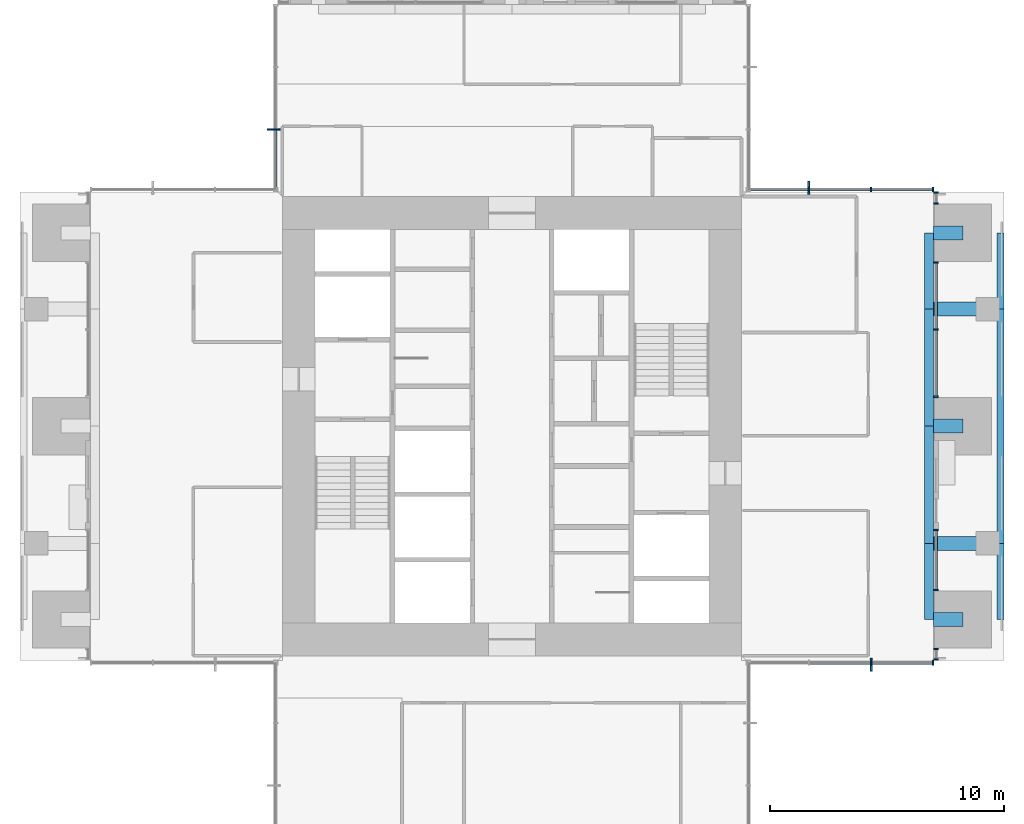
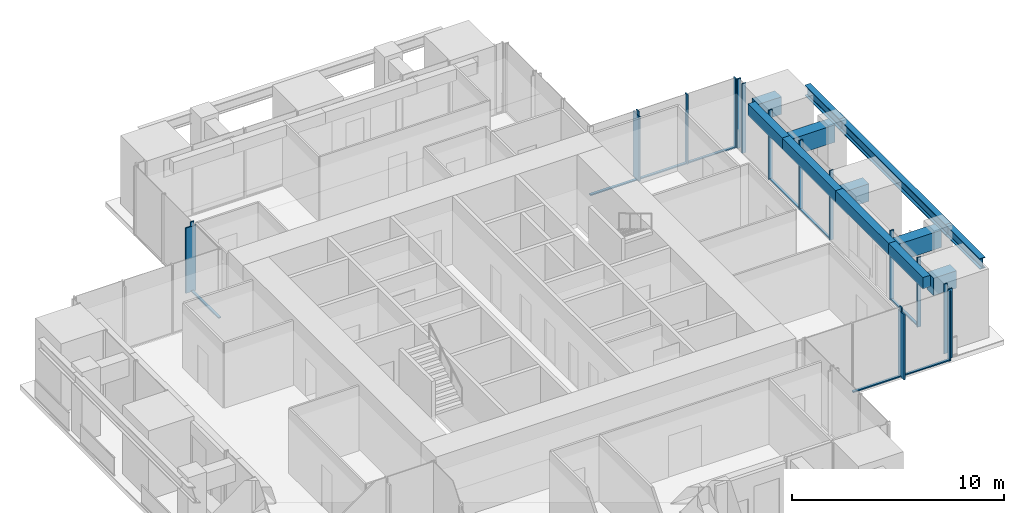
# One storey, part 4 of 17: 27 members, 12 beams, 7 elements without a shape of their own.
"""IFC4 building model written with IfcOpenShell, lengths in metres."""

from ifc_helpers import new_model, si_unit, direction, frame, origin, origin_2d, place, context, subcontext, project, spatial, rectangle, i_section, extrude, material, material_profile, profile_set, type_object, element, aggregate, save


model = new_model("IFC4")

# Units and contexts
model_context = context("Model", 3, precision=1e-05, world=origin(), true_north=direction((0.0, 1.0)))
body_context = subcontext(model_context, "Body", "Model", "MODEL_VIEW")
ifc_project = project(units=[si_unit("LENGTHUNIT", "METRE"), si_unit("AREAUNIT", "SQUARE_METRE"), si_unit("VOLUMEUNIT", "CUBIC_METRE"), si_unit("PLANEANGLEUNIT", "RADIAN"), si_unit("MASSUNIT", "GRAM", prefix="KILO")], contexts=[model_context])

# Site, building, storey
site_placement = place(None, origin())
site = spatial("IfcSite", under=ifc_project, at=site_placement, CompositionType="ELEMENT")
building_placement = place(site_placement, origin())
building = spatial("IfcBuilding", under=site, at=building_placement, Name="Svetlomir Tower", CompositionType="ELEMENT")
storey_placement = place(building_placement, frame((0.0, 0.0, 170.5)))
storey = spatial("IfcBuildingStorey", under=building, at=storey_placement, Name="L40", CompositionType="ELEMENT", Elevation=170.5)

# Curtain wall, member
ifc_material_1 = material(Name="Bronze anodised aluminium curtain wall", Category="aluminium")
curtain_wall_type = type_object("IfcCurtainWallType", Name="CURTAIN WALL CW1 TOWER OFFICE", PredefinedType="NOTDEFINED", material=ifc_material_1)
curtain_wall_1_placement = place(storey_placement, origin())
curtain_wall_1 = element("IfcCurtainWall", 1, at=curtain_wall_1_placement, inside=storey, type_object=curtain_wall_type, Name="Curtain wall CW1 L40", PredefinedType="NOTDEFINED")
ifc_material_2 = material(Name="Bronze anodised aluminium", Category="aluminium")
ifc_material_profile_1 = material_profile(ifc_material_2, rectangle(XDim=0.080078125, YDim=0.550048828125, at=origin_2d()), Name="FIN 80x550")
ifc_profile_set_1 = profile_set([ifc_material_profile_1], Name="Bronze anodised aluminium 6063-T6")
member_type_1 = type_object("IfcMemberType", Name="BRONZE FIN 80x550", PredefinedType="USERDEFINED", material=ifc_profile_set_1)
member_1_placement = place(storey_placement, frame((36.333251953125, 10.824951171875, 0.0), z_axis=(0.0, 0.0, 1.0), x_axis=(1.0, 0.0, 0.0)))
member_1 = element("IfcMember", 2, at=member_1_placement, type_object=member_type_1, Name="Bronze fin L40", ObjectType="FIN", PredefinedType="USERDEFINED", context=body_context, shape_type="SweptSolid", body=[
    extrude(rectangle(XDim=0.080078125, YDim=0.550048828125, at=origin_2d()), origin(), (0.0, 0.0, 1.0), 3.75),
])

curtain_wall_2_placement = place(storey_placement, origin())
curtain_wall_2 = element("IfcCurtainWall", 3, at=curtain_wall_2_placement, inside=storey, type_object=curtain_wall_type, Name="Curtain wall CW1 L40", PredefinedType="NOTDEFINED")
member_2_placement = place(storey_placement, frame((33.666748046875, 31.175048828125, 0.0), z_axis=(0.0, 0.0, 1.0), x_axis=(1.0, 0.0, 0.0)))
member_2 = element("IfcMember", 4, at=member_2_placement, type_object=member_type_1, Name="Bronze fin L40", ObjectType="FIN", PredefinedType="USERDEFINED", context=body_context, shape_type="SweptSolid", body=[
    extrude(rectangle(XDim=0.080078125, YDim=0.550048828125, at=origin_2d()), origin(), (0.0, 0.0, 1.0), 3.75),
])

curtain_wall_3_placement = place(storey_placement, origin())
curtain_wall_3 = element("IfcCurtainWall", 5, at=curtain_wall_3_placement, inside=storey, type_object=curtain_wall_type, Name="Curtain wall CW1 L40", PredefinedType="NOTDEFINED")
member_3_placement = place(storey_placement, frame((10.824951171875, 33.666748046875, 0.0), z_axis=(0.0, 0.0, 1.0), x_axis=(0.0, 1.0, 0.0)))
member_3 = element("IfcMember", 6, at=member_3_placement, type_object=member_type_1, Name="Bronze fin L40", ObjectType="FIN", PredefinedType="USERDEFINED", context=body_context, shape_type="SweptSolid", body=[
    extrude(rectangle(XDim=0.080078125, YDim=0.550048828125, at=origin_2d()), origin(), (0.0, 0.0, 1.0), 3.75),
])

# Member
ifc_material_3 = material(Name="Bronze anodised aluminium", Category="aluminium")
ifc_material_profile_2 = material_profile(ifc_material_3, rectangle(XDim=0.06494140625, YDim=0.199951171875, at=origin_2d()), Name="AL 65x200")
ifc_profile_set_2 = profile_set([ifc_material_profile_2], Name="Bronze anodised aluminium 6063-T6")
member_type_2 = type_object("IfcMemberType", Name="CW1 MULLION 65x200", PredefinedType="MULLION", material=ifc_profile_set_2)
member_4_placement = place(storey_placement, frame((36.333251953125, 10.89990234375, 0.0), z_axis=(0.0, 0.0, 1.0), x_axis=(1.0, 0.0, 0.0)))
member_4 = element("IfcMember", 7, at=member_4_placement, type_object=member_type_2, Name="CW1 mullion 3", PredefinedType="MULLION", context=body_context, shape_type="SweptSolid", body=[
    extrude(rectangle(XDim=0.06494140625, YDim=0.199951171875, at=origin_2d()), origin(), (0.0, 0.0, 1.0), 4.0),
])

member_5_placement = place(storey_placement, frame((38.967529296875, 10.89990234375, 0.0), z_axis=(0.0, 0.0, 1.0), x_axis=(1.0, 0.0, 0.0)))
member_5 = element("IfcMember", 8, at=member_5_placement, type_object=member_type_2, Name="CW1 mullion 4", PredefinedType="MULLION", context=body_context, shape_type="SweptSolid", body=[
    extrude(rectangle(XDim=0.06494140625, YDim=0.199951171875, at=origin_2d()), origin(), (0.0, 0.0, 1.0), 4.0),
])

# Curtain wall, members
curtain_wall_4_placement = place(storey_placement, origin())
curtain_wall_4 = element("IfcCurtainWall", 9, at=curtain_wall_4_placement, inside=storey, type_object=curtain_wall_type, Name="Curtain wall CW1 L40", PredefinedType="NOTDEFINED")
member_6_placement = place(storey_placement, frame((39.10009765625, 11.032470703125, 0.0), z_axis=(0.0, 0.0, 1.0), x_axis=(0.0, 1.0, 0.0)))
member_6 = element("IfcMember", 10, at=member_6_placement, type_object=member_type_2, Name="CW1 mullion 1", PredefinedType="MULLION", context=body_context, shape_type="SweptSolid", body=[
    extrude(rectangle(XDim=0.06494140625, YDim=0.199951171875, at=origin_2d()), origin(), (0.0, 0.0, 1.0), 4.0),
])
member_7_placement = place(storey_placement, frame((39.10009765625, 11.492431640625, 0.0), z_axis=(0.0, 0.0, 1.0), x_axis=(0.0, 1.0, 0.0)))
member_7 = element("IfcMember", 11, at=member_7_placement, type_object=member_type_2, Name="CW1 mullion 2", PredefinedType="MULLION", context=body_context, shape_type="SweptSolid", body=[
    extrude(rectangle(XDim=0.06494140625, YDim=0.199951171875, at=origin_2d()), origin(), (0.0, 0.0, 1.0), 4.0),
])
aggregate(curtain_wall_4, [member_6, member_7])

curtain_wall_5_placement = place(storey_placement, origin())
curtain_wall_5 = element("IfcCurtainWall", 12, at=curtain_wall_5_placement, inside=storey, type_object=curtain_wall_type, Name="Curtain wall CW1 L40", PredefinedType="NOTDEFINED")
member_8_placement = place(storey_placement, frame((39.10009765625, 14.007568359375, 0.0), z_axis=(0.0, 0.0, 1.0), x_axis=(0.0, 1.0, 0.0)))
member_8 = element("IfcMember", 13, at=member_8_placement, type_object=member_type_2, Name="CW1 mullion 1", PredefinedType="MULLION", context=body_context, shape_type="SweptSolid", body=[
    extrude(rectangle(XDim=0.06494140625, YDim=0.199951171875, at=origin_2d()), origin(), (0.0, 0.0, 1.0), 4.0),
])
member_9_placement = place(storey_placement, frame((39.10009765625, 16.5673828125, 0.0), z_axis=(0.0, 0.0, 1.0), x_axis=(0.0, 1.0, 0.0)))
member_9 = element("IfcMember", 14, at=member_9_placement, type_object=member_type_2, Name="CW1 mullion 2", PredefinedType="MULLION", context=body_context, shape_type="SweptSolid", body=[
    extrude(rectangle(XDim=0.06494140625, YDim=0.199951171875, at=origin_2d()), origin(), (0.0, 0.0, 1.0), 4.0),
])

curtain_wall_6_placement = place(storey_placement, origin())
curtain_wall_6 = element("IfcCurtainWall", 15, at=curtain_wall_6_placement, inside=storey, type_object=curtain_wall_type, Name="Curtain wall CW1 L40", PredefinedType="NOTDEFINED")
member_10_placement = place(storey_placement, frame((39.10009765625, 22.257568359375, 0.0), z_axis=(0.0, 0.0, 1.0), x_axis=(0.0, 1.0, 0.0)))
member_10 = element("IfcMember", 16, at=member_10_placement, type_object=member_type_2, Name="CW1 mullion 1", PredefinedType="MULLION", context=body_context, shape_type="SweptSolid", body=[
    extrude(rectangle(XDim=0.06494140625, YDim=0.199951171875, at=origin_2d()), origin(), (0.0, 0.0, 1.0), 4.0),
])
member_11_placement = place(storey_placement, frame((39.10009765625, 25.125, 0.0), z_axis=(0.0, 0.0, 1.0), x_axis=(0.0, 1.0, 0.0)))
member_11 = element("IfcMember", 17, at=member_11_placement, type_object=member_type_2, Name="CW1 mullion 2", PredefinedType="MULLION", context=body_context, shape_type="SweptSolid", body=[
    extrude(rectangle(XDim=0.06494140625, YDim=0.199951171875, at=origin_2d()), origin(), (0.0, 0.0, 1.0), 4.0),
])
member_12_placement = place(storey_placement, frame((39.10009765625, 27.992431640625, 0.0), z_axis=(0.0, 0.0, 1.0), x_axis=(0.0, 1.0, 0.0)))
member_12 = element("IfcMember", 18, at=member_12_placement, type_object=member_type_2, Name="CW1 mullion 3", PredefinedType="MULLION", context=body_context, shape_type="SweptSolid", body=[
    extrude(rectangle(XDim=0.06494140625, YDim=0.199951171875, at=origin_2d()), origin(), (0.0, 0.0, 1.0), 4.0),
])

curtain_wall_7_placement = place(storey_placement, origin())
curtain_wall_7 = element("IfcCurtainWall", 19, at=curtain_wall_7_placement, inside=storey, type_object=curtain_wall_type, Name="Curtain wall CW1 L40", PredefinedType="NOTDEFINED")
member_13_placement = place(storey_placement, frame((39.10009765625, 30.507568359375, 0.0), z_axis=(0.0, 0.0, 1.0), x_axis=(0.0, 1.0, 0.0)))
member_13 = element("IfcMember", 20, at=member_13_placement, type_object=member_type_2, Name="CW1 mullion 1", PredefinedType="MULLION", context=body_context, shape_type="SweptSolid", body=[
    extrude(rectangle(XDim=0.06494140625, YDim=0.199951171875, at=origin_2d()), origin(), (0.0, 0.0, 1.0), 4.0),
])
member_14_placement = place(storey_placement, frame((39.10009765625, 30.967529296875, 0.0), z_axis=(0.0, 0.0, 1.0), x_axis=(0.0, 1.0, 0.0)))
member_14 = element("IfcMember", 21, at=member_14_placement, type_object=member_type_2, Name="CW1 mullion 2", PredefinedType="MULLION", context=body_context, shape_type="SweptSolid", body=[
    extrude(rectangle(XDim=0.06494140625, YDim=0.199951171875, at=origin_2d()), origin(), (0.0, 0.0, 1.0), 4.0),
])
aggregate(curtain_wall_7, [member_13, member_14])

# Member
member_15_placement = place(storey_placement, frame((38.967529296875, 31.10009765625, 0.0), z_axis=(0.0, 0.0, 1.0), x_axis=(-1.0, 0.0, 0.0)))
member_15 = element("IfcMember", 22, at=member_15_placement, type_object=member_type_2, Name="CW1 mullion 1", PredefinedType="MULLION", context=body_context, shape_type="SweptSolid", body=[
    extrude(rectangle(XDim=0.06494140625, YDim=0.199951171875, at=origin_2d()), origin(), (0.0, 0.0, 1.0), 4.0),
])

member_16_placement = place(storey_placement, frame((36.333251953125, 31.10009765625, 0.0), z_axis=(0.0, 0.0, 1.0), x_axis=(-1.0, 0.0, 0.0)))
member_16 = element("IfcMember", 23, at=member_16_placement, type_object=member_type_2, Name="CW1 mullion 2", PredefinedType="MULLION", context=body_context, shape_type="SweptSolid", body=[
    extrude(rectangle(XDim=0.06494140625, YDim=0.199951171875, at=origin_2d()), origin(), (0.0, 0.0, 1.0), 4.0),
])

member_17_placement = place(storey_placement, frame((33.666748046875, 31.10009765625, 0.0), z_axis=(0.0, 0.0, 1.0), x_axis=(-1.0, 0.0, 0.0)))
member_17 = element("IfcMember", 24, at=member_17_placement, type_object=member_type_2, Name="CW1 mullion 3", PredefinedType="MULLION", context=body_context, shape_type="SweptSolid", body=[
    extrude(rectangle(XDim=0.06494140625, YDim=0.199951171875, at=origin_2d()), origin(), (0.0, 0.0, 1.0), 4.0),
])

member_18_placement = place(storey_placement, frame((10.89990234375, 33.666748046875, 0.0), z_axis=(0.0, 0.0, 1.0), x_axis=(0.0, -1.0, 0.0)))
member_18 = element("IfcMember", 25, at=member_18_placement, type_object=member_type_2, Name="CW1 mullion 3", PredefinedType="MULLION", context=body_context, shape_type="SweptSolid", body=[
    extrude(rectangle(XDim=0.06494140625, YDim=0.199951171875, at=origin_2d()), origin(), (0.0, 0.0, 1.0), 4.0),
])

ifc_material_4 = material(Name="Bronze anodised aluminium", Category="aluminium")
ifc_material_profile_3 = material_profile(ifc_material_4, rectangle(XDim=0.139892578125, YDim=0.06494140625, at=origin_2d()), Name="AL 140x65")
ifc_profile_set_3 = profile_set([ifc_material_profile_3], Name="Bronze anodised aluminium 6063-T6")
member_type_3 = type_object("IfcMemberType", Name="CW1 TRANSOM 65x140", PredefinedType="USERDEFINED", material=ifc_profile_set_3)
member_19_placement = place(storey_placement, frame((33.69921875, 10.89990234375, 0.032470703125), z_axis=(1.0, 0.0, 0.0), x_axis=(0.0, 1.0, 0.0)))
member_19 = element("IfcMember", 26, at=member_19_placement, type_object=member_type_3, Name="CW1 transom 2.1", ObjectType="TRANSOM", PredefinedType="USERDEFINED", context=body_context, shape_type="SweptSolid", body=[
    extrude(rectangle(XDim=0.139892578125, YDim=0.06494140625, at=origin_2d()), origin(), (0.0, 0.0, 1.0), 2.6015625),
])

member_20_placement = place(storey_placement, frame((36.36572265625, 10.89990234375, 0.032470703125), z_axis=(1.0, 0.0, 0.0), x_axis=(0.0, 1.0, 0.0)))
member_20 = element("IfcMember", 27, at=member_20_placement, type_object=member_type_3, Name="CW1 transom 3.1", ObjectType="TRANSOM", PredefinedType="USERDEFINED", context=body_context, shape_type="SweptSolid", body=[
    extrude(rectangle(XDim=0.139892578125, YDim=0.06494140625, at=origin_2d()), origin(), (0.0, 0.0, 1.0), 2.5693359375),
])

aggregate(curtain_wall_1, [member_4, member_5, member_19, member_20, member_1])

member_21_placement = place(storey_placement, frame((39.10009765625, 14.0400390625, 0.032470703125), z_axis=(0.0, 1.0, 0.0), x_axis=(-1.0, 0.0, 0.0)))
member_21 = element("IfcMember", 28, at=member_21_placement, type_object=member_type_3, Name="CW1 transom 1.1", ObjectType="TRANSOM", PredefinedType="USERDEFINED", context=body_context, shape_type="SweptSolid", body=[
    extrude(rectangle(XDim=0.139892578125, YDim=0.06494140625, at=origin_2d()), origin(), (0.0, 0.0, 1.0), 2.494873046875),
])

aggregate(curtain_wall_5, [member_8, member_9, member_21])

member_22_placement = place(storey_placement, frame((39.10009765625, 22.2900390625, 0.032470703125), z_axis=(0.0, 1.0, 0.0), x_axis=(-1.0, 0.0, 0.0)))
member_22 = element("IfcMember", 29, at=member_22_placement, type_object=member_type_3, Name="CW1 transom 1.1", ObjectType="TRANSOM", PredefinedType="USERDEFINED", context=body_context, shape_type="SweptSolid", body=[
    extrude(rectangle(XDim=0.139892578125, YDim=0.06494140625, at=origin_2d()), origin(), (0.0, 0.0, 1.0), 2.802490234375),
])

member_23_placement = place(storey_placement, frame((39.10009765625, 25.157470703125, 0.032470703125), z_axis=(0.0, 1.0, 0.0), x_axis=(-1.0, 0.0, 0.0)))
member_23 = element("IfcMember", 30, at=member_23_placement, type_object=member_type_3, Name="CW1 transom 2.1", ObjectType="TRANSOM", PredefinedType="USERDEFINED", context=body_context, shape_type="SweptSolid", body=[
    extrude(rectangle(XDim=0.139892578125, YDim=0.06494140625, at=origin_2d()), origin(), (0.0, 0.0, 1.0), 2.802490234375),
])

aggregate(curtain_wall_6, [member_10, member_11, member_12, member_22, member_23])

member_24_placement = place(storey_placement, frame((38.93505859375, 31.10009765625, 0.032470703125), z_axis=(-1.0, 0.0, 0.0), x_axis=(0.0, -1.0, 0.0)))
member_24 = element("IfcMember", 31, at=member_24_placement, type_object=member_type_3, Name="CW1 transom 1.1", ObjectType="TRANSOM", PredefinedType="USERDEFINED", context=body_context, shape_type="SweptSolid", body=[
    extrude(rectangle(XDim=0.139892578125, YDim=0.06494140625, at=origin_2d()), origin(), (0.0, 0.0, 1.0), 2.5693359375),
])

member_25_placement = place(storey_placement, frame((36.30078125, 31.10009765625, 0.032470703125), z_axis=(-1.0, 0.0, 0.0), x_axis=(0.0, -1.0, 0.0)))
member_25 = element("IfcMember", 32, at=member_25_placement, type_object=member_type_3, Name="CW1 transom 2.1", ObjectType="TRANSOM", PredefinedType="USERDEFINED", context=body_context, shape_type="SweptSolid", body=[
    extrude(rectangle(XDim=0.139892578125, YDim=0.06494140625, at=origin_2d()), origin(), (0.0, 0.0, 1.0), 2.6015625),
])

member_26_placement = place(storey_placement, frame((33.63427734375, 31.10009765625, 0.032470703125), z_axis=(-1.0, 0.0, 0.0), x_axis=(0.0, -1.0, 0.0)))
member_26 = element("IfcMember", 33, at=member_26_placement, type_object=member_type_3, Name="CW1 transom 3.1", ObjectType="TRANSOM", PredefinedType="USERDEFINED", context=body_context, shape_type="SweptSolid", body=[
    extrude(rectangle(XDim=0.139892578125, YDim=0.06494140625, at=origin_2d()), origin(), (0.0, 0.0, 1.0), 2.5693359375),
])

aggregate(curtain_wall_2, [member_15, member_16, member_17, member_24, member_25, member_26, member_2])

member_27_placement = place(storey_placement, frame((10.89990234375, 33.63427734375, 0.032470703125), z_axis=(0.0, -1.0, 0.0), x_axis=(1.0, 0.0, 0.0)))
member_27 = element("IfcMember", 34, at=member_27_placement, type_object=member_type_3, Name="CW1 transom 3.1", ObjectType="TRANSOM", PredefinedType="USERDEFINED", context=body_context, shape_type="SweptSolid", body=[
    extrude(rectangle(XDim=0.139892578125, YDim=0.06494140625, at=origin_2d()), origin(), (0.0, 0.0, 1.0), 2.5693359375),
])

aggregate(curtain_wall_3, [member_18, member_27, member_3])

# Beams
ifc_material_5 = material(Name="Steel S355", Category="steel")
ifc_material_profile_4 = material_profile(ifc_material_5, i_section(OverallWidth=0.304931640625, OverallDepth=0.6201171875, WebThickness=0.02099609375, FlangeThickness=0.0400390625, FilletRadius=0.027099609375, at=origin_2d()), Name="HEM 600")
ifc_profile_set_4 = profile_set([ifc_material_profile_4], Name="Steel S355")
beam_type_1 = type_object("IfcBeamType", Name="EDGE BEAM HEM 600", PredefinedType="SPANDREL", material=ifc_profile_set_4)
beam_1_placement = place(storey_placement, frame((41.847412109375, 12.75, 3.43994140625), z_axis=(0.0, 1.0, 0.0), x_axis=(-1.0, 0.0, 0.0)))
element("IfcBeam", 35, at=beam_1_placement, inside=storey, type_object=beam_type_1, Name="Edge beam 42/11 to 42/16 under L41", PredefinedType="SPANDREL", context=body_context, shape_type="SweptSolid", body=[
    extrude(i_section(OverallWidth=0.304931640625, OverallDepth=0.6201171875, WebThickness=0.02099609375, FlangeThickness=0.0400390625, FilletRadius=0.027099609375, at=origin_2d()), origin(), (0.0, 0.0, 1.0), 3.25),
])
beam_2_placement = place(storey_placement, frame((41.847412109375, 16.0, 3.43994140625), z_axis=(0.0, 1.0, 0.0), x_axis=(-1.0, 0.0, 0.0)))
element("IfcBeam", 36, at=beam_2_placement, inside=storey, type_object=beam_type_1, Name="Edge beam 42/16 to 42/26 under L41", PredefinedType="SPANDREL", context=body_context, shape_type="SweptSolid", body=[
    extrude(i_section(OverallWidth=0.304931640625, OverallDepth=0.6201171875, WebThickness=0.02099609375, FlangeThickness=0.0400390625, FilletRadius=0.027099609375, at=origin_2d()), origin(), (0.0, 0.0, 1.0), 10.0),
])
beam_3_placement = place(storey_placement, frame((41.847412109375, 26.0, 3.43994140625), z_axis=(0.0, 1.0, 0.0), x_axis=(-1.0, 0.0, 0.0)))
element("IfcBeam", 37, at=beam_3_placement, inside=storey, type_object=beam_type_1, Name="Edge beam 42/26 to 42/31 under L41", PredefinedType="SPANDREL", context=body_context, shape_type="SweptSolid", body=[
    extrude(i_section(OverallWidth=0.304931640625, OverallDepth=0.6201171875, WebThickness=0.02099609375, FlangeThickness=0.0400390625, FilletRadius=0.027099609375, at=origin_2d()), origin(), (0.0, 0.0, 1.0), 3.25),
])
ifc_material_6 = material(Name="Concrete C60/75", Category="concrete")
ifc_material_profile_5 = material_profile(ifc_material_6, rectangle(XDim=0.39990234375, YDim=0.64990234375, at=origin_2d()), Name="RC 400x650")
ifc_profile_set_5 = profile_set([ifc_material_profile_5], Name="Concrete C60/75")
beam_type_2 = type_object("IfcBeamType", Name="FACADE EDGE BEAM RC 400x650", PredefinedType="BEAM", material=ifc_profile_set_5)
beam_4_placement = place(storey_placement, frame((38.800048828125, 12.75, 3.425048828125), z_axis=(0.0, 1.0, 0.0), x_axis=(-1.0, 0.0, 0.0)))
element("IfcBeam", 38, at=beam_4_placement, inside=storey, type_object=beam_type_2, Name="Facade edge beam E 11 to 16 under L41", PredefinedType="BEAM", context=body_context, shape_type="SweptSolid", body=[
    extrude(rectangle(XDim=0.39990234375, YDim=0.64990234375, at=origin_2d()), origin(), (0.0, 0.0, 1.0), 3.25),
])
for number, where, z_axis, x_axis, name in (
    (39, (38.800048828125, 16.0, 3.425048828125), (0.0, 1.0, 0.0), (-1.0, 0.0, 0.0), "Facade edge beam E 16 to 21 under L41"),
    (40, (38.800048828125, 21.0, 3.425048828125), (0.0, 1.0, 0.0), (-1.0, 0.0, 0.0), "Facade edge beam E 21 to 26 under L41"),
):
    element("IfcBeam", number, at=place(storey_placement, frame(where, z_axis=z_axis, x_axis=x_axis)), inside=storey, type_object=beam_type_2, Name=name, PredefinedType="BEAM", context=body_context, shape_type="SweptSolid", body=[
        extrude(rectangle(XDim=0.39990234375, YDim=0.64990234375, at=origin_2d()), origin(), (0.0, 0.0, 1.0), 5.0),
    ])
beam_5_placement = place(storey_placement, frame((38.800048828125, 26.0, 3.425048828125), z_axis=(0.0, 1.0, 0.0), x_axis=(-1.0, 0.0, 0.0)))
element("IfcBeam", 41, at=beam_5_placement, inside=storey, type_object=beam_type_2, Name="Facade edge beam E 26 to 31 under L41", PredefinedType="BEAM", context=body_context, shape_type="SweptSolid", body=[
    extrude(rectangle(XDim=0.39990234375, YDim=0.64990234375, at=origin_2d()), origin(), (0.0, 0.0, 1.0), 3.25),
])
ifc_material_7 = material(Name="Concrete C60/75", Category="concrete")
ifc_material_profile_6 = material_profile(ifc_material_7, rectangle(XDim=0.60009765625, YDim=1.0, at=origin_2d()), Name="RC 600x1000")
ifc_profile_set_6 = profile_set([ifc_material_profile_6], Name="Concrete C60/75")
beam_type_3 = type_object("IfcBeamType", Name="LOGGIA LINK BEAM RC 600x1000", PredefinedType="BEAM", material=ifc_profile_set_6)
beam_6_placement = place(storey_placement, frame((40.25, 12.75, 3.25), z_axis=(-1.0, 0.0, 0.0), x_axis=(0.0, -1.0, 0.0)))
element("IfcBeam", 42, at=beam_6_placement, inside=storey, type_object=beam_type_3, Name="Loggia link beam E 11 under L41", PredefinedType="BEAM", context=body_context, shape_type="SweptSolid", body=[
    extrude(rectangle(XDim=0.60009765625, YDim=1.0, at=origin_2d()), origin(), (0.0, 0.0, 1.0), 1.25),
])
beam_7_placement = place(storey_placement, frame((41.300048828125, 16.0, 3.25), z_axis=(-1.0, 0.0, 0.0), x_axis=(0.0, -1.0, 0.0)))
element("IfcBeam", 43, at=beam_7_placement, inside=storey, type_object=beam_type_3, Name="Loggia link beam E 16 under L41", PredefinedType="BEAM", context=body_context, shape_type="SweptSolid", body=[
    extrude(rectangle(XDim=0.60009765625, YDim=1.0, at=origin_2d()), origin(), (0.0, 0.0, 1.0), 2.300048828125),
])
beam_8_placement = place(storey_placement, frame((40.25, 21.0, 3.25), z_axis=(-1.0, 0.0, 0.0), x_axis=(0.0, -1.0, 0.0)))
element("IfcBeam", 44, at=beam_8_placement, inside=storey, type_object=beam_type_3, Name="Loggia link beam E 21 under L41", PredefinedType="BEAM", context=body_context, shape_type="SweptSolid", body=[
    extrude(rectangle(XDim=0.60009765625, YDim=1.0, at=origin_2d()), origin(), (0.0, 0.0, 1.0), 1.25),
])
beam_9_placement = place(storey_placement, frame((41.300048828125, 26.0, 3.25), z_axis=(-1.0, 0.0, 0.0), x_axis=(0.0, -1.0, 0.0)))
element("IfcBeam", 45, at=beam_9_placement, inside=storey, type_object=beam_type_3, Name="Loggia link beam E 26 under L41", PredefinedType="BEAM", context=body_context, shape_type="SweptSolid", body=[
    extrude(rectangle(XDim=0.60009765625, YDim=1.0, at=origin_2d()), origin(), (0.0, 0.0, 1.0), 2.300048828125),
])
beam_10_placement = place(storey_placement, frame((40.25, 29.25, 3.25), z_axis=(-1.0, 0.0, 0.0), x_axis=(0.0, -1.0, 0.0)))
element("IfcBeam", 46, at=beam_10_placement, inside=storey, type_object=beam_type_3, Name="Loggia link beam E 31 under L41", PredefinedType="BEAM", context=body_context, shape_type="SweptSolid", body=[
    extrude(rectangle(XDim=0.60009765625, YDim=1.0, at=origin_2d()), origin(), (0.0, 0.0, 1.0), 1.25),
])

save(model, "model.ifc")
